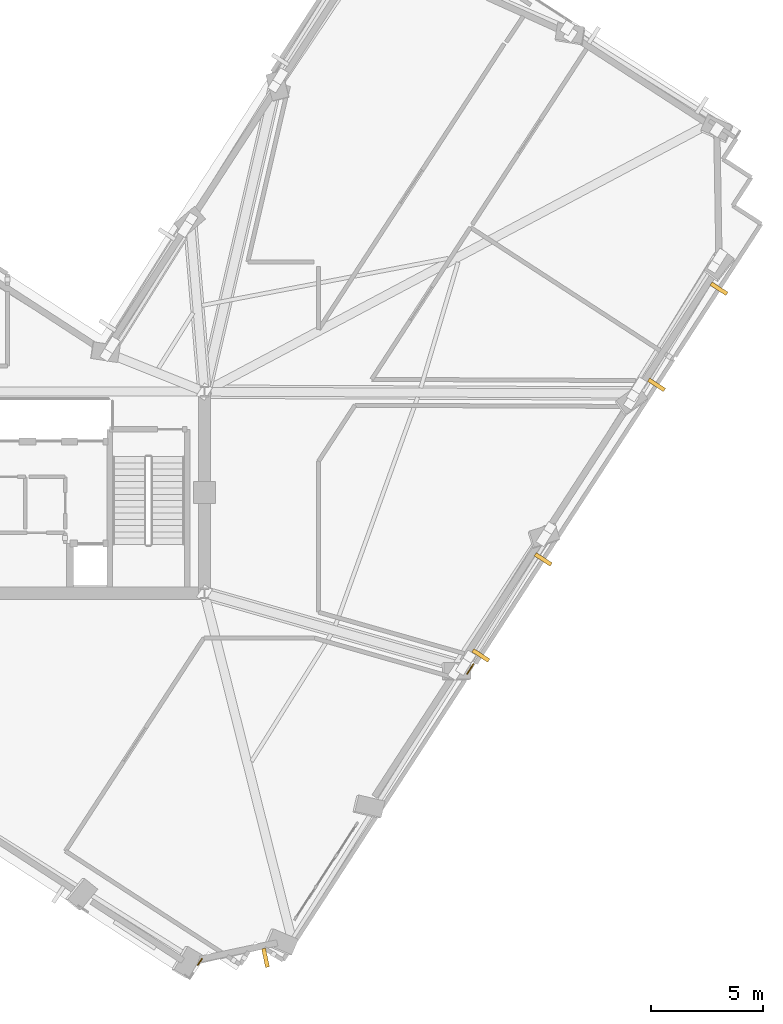
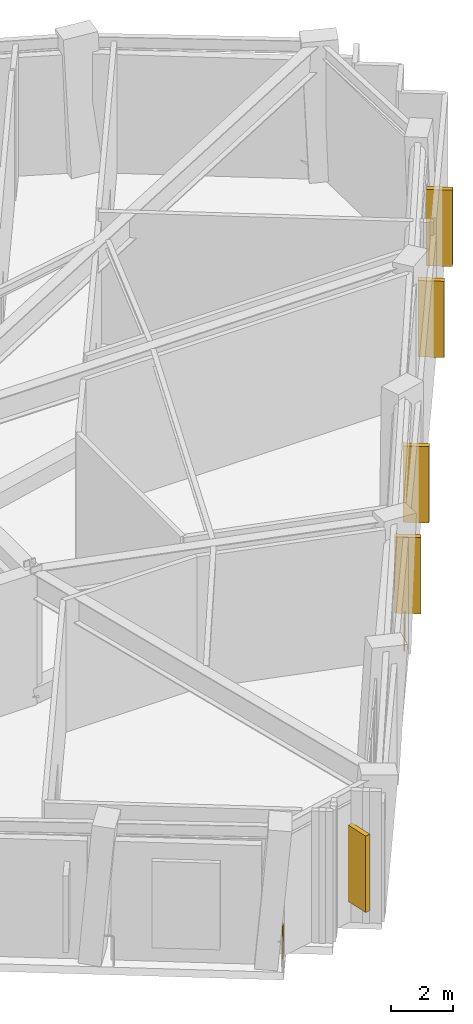
# One storey, part 9 of 11: 5 shading devices, 2 railings.
"""IFC4 building model written with IfcOpenShell, lengths in metres."""

from ifc_helpers import new_model, si_unit, direction, frame, origin, origin_2d, place, context, subcontext, project, spatial, rectangle, circle, extrude, material, layer, layer_set, type_object, element, save


model = new_model("IFC4")

# Units and contexts
model_context = context("Model", 3, precision=1e-05, world=origin(), true_north=direction((0.0, 1.0)))
body_context = subcontext(model_context, "Body", "Model", "MODEL_VIEW")
ifc_project = project(units=[si_unit("LENGTHUNIT", "METRE"), si_unit("AREAUNIT", "SQUARE_METRE"), si_unit("VOLUMEUNIT", "CUBIC_METRE"), si_unit("PLANEANGLEUNIT", "RADIAN"), si_unit("MASSUNIT", "GRAM", prefix="KILO")], contexts=[model_context])

# Site, building, storey
site_placement = place(None, origin())
site = spatial("IfcSite", under=ifc_project, at=site_placement, CompositionType="ELEMENT")
building_placement = place(site_placement, origin())
building = spatial("IfcBuilding", under=site, at=building_placement, Name="Gaonmaruhae Medical Tower", CompositionType="ELEMENT")
storey_placement = place(building_placement, frame((0.0, 0.0, 267.199951171875)))
storey = spatial("IfcBuildingStorey", under=building, at=storey_placement, Name="L64", CompositionType="ELEMENT", Elevation=267.199951171875)

# Railings
ifc_material_1 = material(Name="Stainless steel 316L and laminated safety glass", Category="steel")
ifc_layer = layer(ifc_material_1, 0.080078125)
ifc_layer_set = layer_set([ifc_layer], Name="Stainless steel 316L and laminated safety glass")
railing_type = type_object("IfcRailingType", Name="GD-120 Outdoor Terrace Safety Glass & Steel Balustrade", PredefinedType="BALUSTRADE", material=ifc_layer_set)
railing_1_placement = place(storey_placement, frame((47.327880859375, 4.205078125, 0.0)))
element("IfcRailing", 1, at=railing_1_placement, inside=storey, type_object=railing_type, Name="L64 Perimeter Slab Edge Safety Balustrade 01", PredefinedType="BALUSTRADE", context=body_context, shape_type="SweptSolid", body=[
    extrude(circle(Radius=0.02392578125, at=origin_2d()), frame((0.0, 0.0, 1.17578125), z_axis=(0.54457539646, 0.838711891874, 0.0), x_axis=(-0.838711891874, 0.54457539646, 0.0)), (0.0, 0.0, 1.0), 0.51953125),
    extrude(circle(Radius=0.02099609375, at=origin_2d()), origin(), (0.0, 0.0, 1.0), 1.15185546875),
    extrude(circle(Radius=0.02099609375, at=origin_2d()), frame((0.282958984375, 0.435791015625, 0.0)), (0.0, 0.0, 1.0), 1.15185546875),
])
railing_2_placement = place(storey_placement, frame((35.307373046875, -8.796630859375, 0.0)))
element("IfcRailing", 2, at=railing_2_placement, inside=storey, type_object=railing_type, Name="L64 Perimeter Slab Edge Safety Balustrade 20", PredefinedType="BALUSTRADE", context=body_context, shape_type="SweptSolid", body=[
    extrude(circle(Radius=0.02392578125, at=origin_2d()), frame((0.0, 0.0, 1.17578125), z_axis=(0.544830723971, 0.838546052532, 0.0), x_axis=(-0.838546052532, 0.544830723971, 0.0)), (0.0, 0.0, 1.0), 0.32666015625),
    extrude(circle(Radius=0.02099609375, at=origin_2d()), origin(), (0.0, 0.0, 1.0), 1.15185546875),
    extrude(circle(Radius=0.02099609375, at=origin_2d()), frame((0.177978515625, 0.27392578125, 0.0)), (0.0, 0.0, 1.0), 1.15185546875),
])

# Shading devices
ifc_material_2 = material(Name="Pigmented coral precast concrete C45/55", Category="concrete")
shading_device_type = type_object("IfcShadingDeviceType", Name="SD-FIN1 Tower Vertical Coral Precast Shading Fin", PredefinedType="USERDEFINED", material=ifc_material_2)
for number, where, z_axis, x_axis, name in (
    (3, (50.722900390625, 9.3134765625, 0.83251953125), (0.0, 0.0, 1.0), (-0.544639035015, -0.838670567945, 0.0), "L64 Vertical Coral Precast Shading Fin S03"),
    (4, (47.93798828125, 5.02490234375, 0.83251953125), (0.0, 0.0, 1.0), (-0.544639035015, -0.838670567945, 0.0), "L64 Vertical Coral Precast Shading Fin S03B"),
    (5, (58.571533203125, 21.399169921875, 0.83251953125), (0.0, 0.0, 1.0), (-0.544639035015, -0.838670567945, 0.0), "L64 Vertical Coral Precast Shading Fin S05"),
    (6, (55.78369140625, 17.106689453125, 0.83251953125), (0.0, 0.0, 1.0), (-0.544639035015, -0.838670567945, 0.0), "L64 Vertical Coral Precast Shading Fin S05B"),
    (7, (38.32763671875, -8.4755859375, 0.83251953125), (0.0, 0.0, 1.0), (-0.978147600734, -0.207911690818, 0.0), "L64 Vertical Coral Precast Shading Fin W06"),
):
    element("IfcShadingDevice", number, at=place(storey_placement, frame(where, z_axis=z_axis, x_axis=x_axis)), inside=storey, type_object=shading_device_type, Name=name, ObjectType="FIN", PredefinedType="USERDEFINED", context=body_context, shape_type="SweptSolid", body=[
        extrude(rectangle(XDim=0.179931640625, YDim=0.85009765625, at=origin_2d()), origin(), (0.0, 0.0, 1.0), 3.0),
    ])

save(model, "model.ifc")
